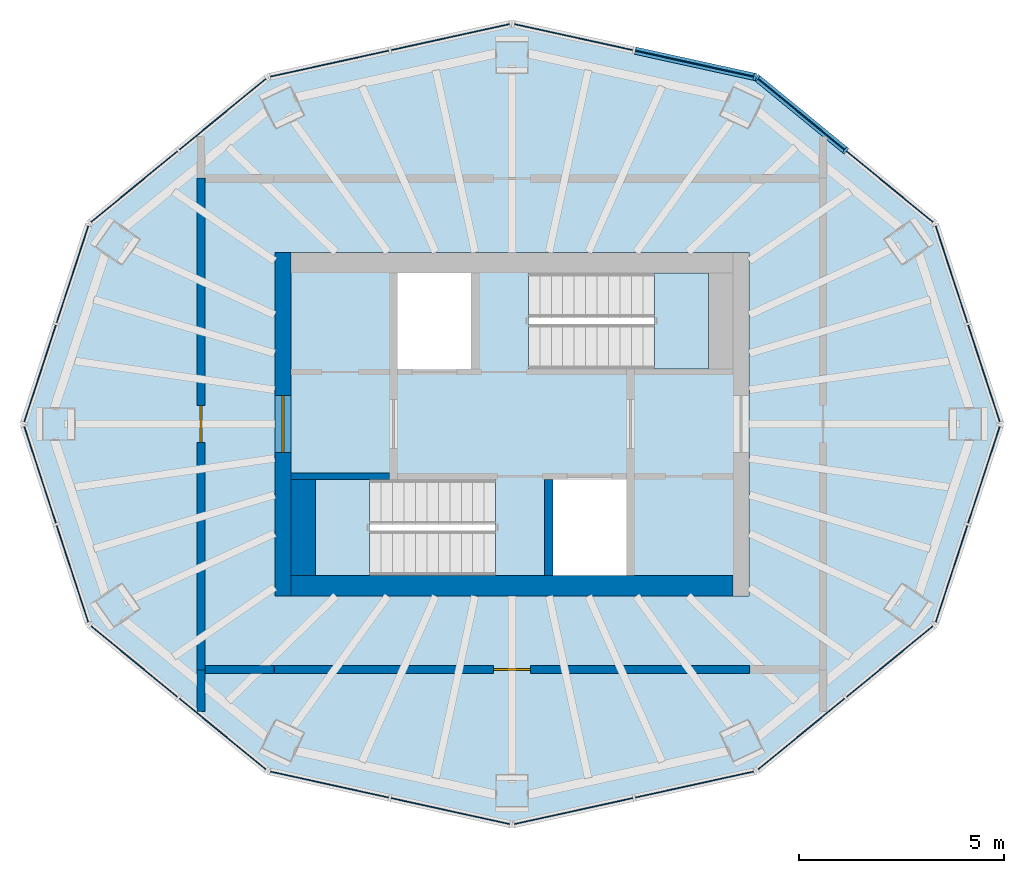
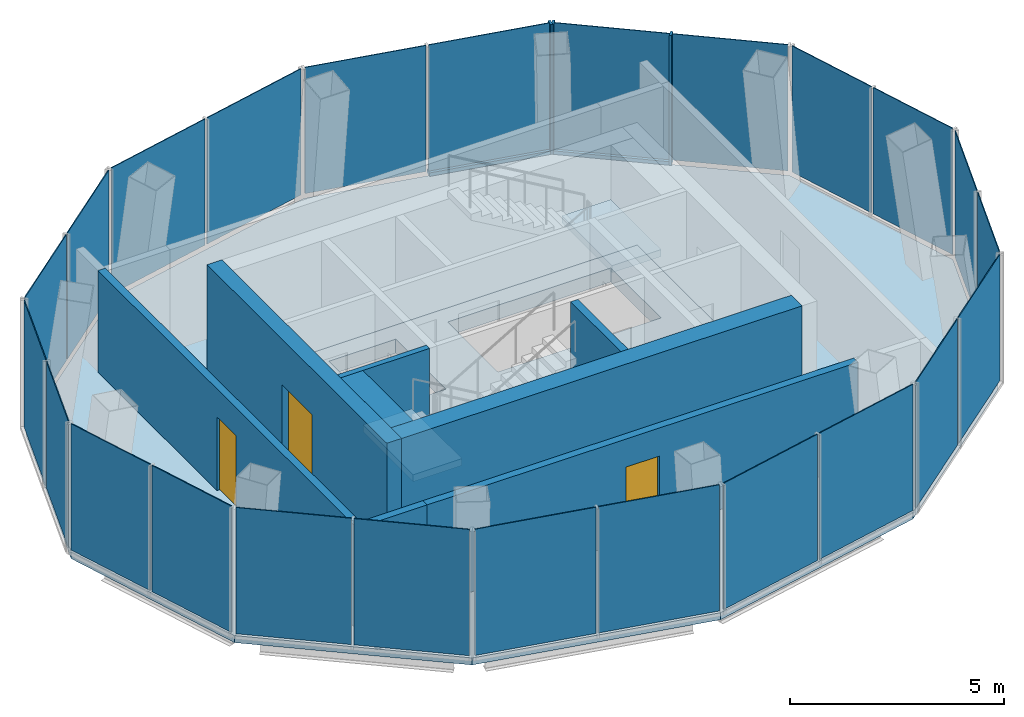
# One storey, part 3 of 5: 24 plates, 9 walls, 5 members, 4 slabs, 3 doors, 3 openings, 14 elements without a shape of their own.
"""IFC4 building model written with IfcOpenShell, lengths in metres."""

from ifc_helpers import new_model, si_unit, direction, frame, frame_2d, origin, origin_2d, place, context, subcontext, project, spatial, polyline, rectangle, outline, extrude, material, layer, layer_set, material_profile, profile_set, type_object, element, fill, aggregate, save


model = new_model("IFC4")

# Units and contexts
model_context = context("Model", 3, precision=1e-05, world=origin(), true_north=direction((0.0, 1.0)))
body_context = subcontext(model_context, "Body", "Model", "MODEL_VIEW")
ifc_project = project(units=[si_unit("LENGTHUNIT", "METRE"), si_unit("AREAUNIT", "SQUARE_METRE"), si_unit("VOLUMEUNIT", "CUBIC_METRE"), si_unit("PLANEANGLEUNIT", "RADIAN"), si_unit("MASSUNIT", "GRAM", prefix="KILO")], contexts=[model_context])

# Site, building, storey
site_placement = place(None, origin())
site = spatial("IfcSite", under=ifc_project, at=site_placement, CompositionType="ELEMENT")
building_placement = place(site_placement, origin())
building = spatial("IfcBuilding", under=site, at=building_placement, Name="Siaravel Broadcast Tower", CompositionType="ELEMENT")
storey_placement = place(building_placement, frame((0.0, 0.0, 280.39990234375)))
storey = spatial("IfcBuildingStorey", under=building, at=storey_placement, Name="L68", CompositionType="ELEMENT", Elevation=280.39990234375)

# Curtain wall, members
ifc_material_1 = material(Name="Aluminium 6063-T6", Category="aluminium")
ifc_layer_1 = layer(ifc_material_1, 0.179931640625)
ifc_layer_set_1 = layer_set([ifc_layer_1], Name="Aluminium 6063-T6")
curtain_wall_type = type_object("IfcCurtainWallType", Name="Crown glass facet wall", PredefinedType="NOTDEFINED", material=ifc_layer_set_1)
curtain_wall_1_placement = place(storey_placement, origin())
curtain_wall_1 = element("IfcCurtainWall", 1, at=curtain_wall_1_placement, inside=storey, type_object=curtain_wall_type, Name="L68 Crown glass facet wall 02", PredefinedType="NOTDEFINED")
ifc_material_profile_1 = material_profile(ifc_material_1, rectangle(XDim=0.179931640625, YDim=0.06005859375, at=origin_2d()))
ifc_profile_set_1 = profile_set([ifc_material_profile_1], Name="Aluminium 6063-T6")
member_type_1 = type_object("IfcMemberType", Name="CW-CR mullion", PredefinedType="MULLION", material=ifc_profile_set_1)
member_1_placement = place(storey_placement, frame((8.15380859375, 6.690185546875, 0.0), z_axis=(0.0, 0.0, 1.0), x_axis=(-0.633713047, -0.773568209, 0.0)))
member_1 = element("IfcMember", 2, at=member_1_placement, type_object=member_type_1, Name="CW-CR mullion 2", PredefinedType="MULLION", context=body_context, shape_type="SweptSolid", body=[
    extrude(rectangle(XDim=0.179931640625, YDim=0.06005859375, at=origin_2d()), origin(), (0.0, 0.0, 1.0), 3.7001953125),
])
member_2_placement = place(storey_placement, frame((5.99072265625, 8.462158203125, 0.0), z_axis=(0.0, 0.0, 1.0), x_axis=(-0.633713047, -0.773568209, 0.0)))
member_2 = element("IfcMember", 3, at=member_2_placement, type_object=member_type_1, Name="CW-CR mullion 3", PredefinedType="MULLION", context=body_context, shape_type="SweptSolid", body=[
    extrude(rectangle(XDim=0.179931640625, YDim=0.06005859375, at=origin_2d()), origin(), (0.0, 0.0, 1.0), 3.7001953125),
])

# Curtain wall, member
curtain_wall_2_placement = place(storey_placement, origin())
curtain_wall_2 = element("IfcCurtainWall", 4, at=curtain_wall_2_placement, inside=storey, type_object=curtain_wall_type, Name="L68 Crown glass facet wall 03", PredefinedType="NOTDEFINED")
member_3_placement = place(storey_placement, frame((5.938232421875, 8.48779296875, 0.0), z_axis=(0.0, 0.0, 1.0), x_axis=(-0.214394002, -0.976747261, 0.0)))
member_3 = element("IfcMember", 5, at=member_3_placement, type_object=member_type_1, Name="CW-CR mullion 1", PredefinedType="MULLION", context=body_context, shape_type="SweptSolid", body=[
    extrude(rectangle(XDim=0.179931640625, YDim=0.06005859375, at=origin_2d()), origin(), (0.0, 0.0, 1.0), 3.7001953125),
])

# Member
ifc_material_profile_2 = material_profile(ifc_material_1, rectangle(XDim=0.179931640625, YDim=0.10009765625, at=origin_2d()))
ifc_profile_set_2 = profile_set([ifc_material_profile_2], Name="Aluminium 6063-T6")
member_type_2 = type_object("IfcMemberType", Name="CW-CR transom", PredefinedType="USERDEFINED", material=ifc_profile_set_2)
member_4_placement = place(storey_placement, frame((8.130615234375, 6.709228515625, 0.050048828125), z_axis=(-0.773591431, 0.633684699, 0.0), x_axis=(-0.633684699, -0.773591431, 0.0)))
member_4 = element("IfcMember", 6, at=member_4_placement, type_object=member_type_2, Name="CW-CR transom 2", ObjectType="TRANSOM", PredefinedType="USERDEFINED", context=body_context, shape_type="SweptSolid", body=[
    extrude(rectangle(XDim=0.179931640625, YDim=0.10009765625, at=origin_2d()), origin(), (0.0, 0.0, 1.0), 2.736083984375),
])

member_5_placement = place(storey_placement, frame((5.908935546875, 8.494140625, 0.050048828125), z_axis=(-0.976755278, 0.214357473, 0.0), x_axis=(-0.214357473, -0.976755278, 0.0)))
member_5 = element("IfcMember", 7, at=member_5_placement, type_object=member_type_2, Name="CW-CR transom 1", ObjectType="TRANSOM", PredefinedType="USERDEFINED", context=body_context, shape_type="SweptSolid", body=[
    extrude(rectangle(XDim=0.179931640625, YDim=0.10009765625, at=origin_2d()), origin(), (0.0, 0.0, 1.0), 2.964599609375),
])

# Curtain wall, plates
curtain_wall_3_placement = place(storey_placement, origin())
curtain_wall_3 = element("IfcCurtainWall", 8, at=curtain_wall_3_placement, inside=storey, type_object=curtain_wall_type, Name="L68 Crown glass facet wall 01", PredefinedType="NOTDEFINED")
ifc_material_2 = material(Name="Low-iron laminated glass", Category="glass")
ifc_layer_2 = layer(ifc_material_2, 0.02392578125)
ifc_layer_set_2 = layer_set([ifc_layer_2], Name="Low-iron laminated glass")
plate_type = type_object("IfcPlateType", Name="CW-CR glass panel", PredefinedType="CURTAIN_PANEL", material=ifc_layer_set_2)
plate_1_placement = place(storey_placement, frame((11.537109375, 1.239013671875, 0.10009765625), z_axis=(0.0, 0.0, 1.0), x_axis=(-0.310858963, 0.950456051, 0.0)))
plate_1 = element("IfcPlate", 9, at=plate_1_placement, type_object=plate_type, Name="CW-CR glass panel", PredefinedType="CURTAIN_PANEL", context=body_context, shape_type="SweptSolid", body=[
    extrude(rectangle(XDim=2.4873046875, YDim=0.02392578125, at=origin_2d()), origin(), (0.0, 0.0, 1.0), 3.60009765625),
])
plate_2_placement = place(storey_placement, frame((10.7451171875, 3.660400390625, 0.10009765625), z_axis=(0.0, 0.0, 1.0), x_axis=(-0.310858963, 0.950456051, 0.0)))
plate_2 = element("IfcPlate", 10, at=plate_2_placement, type_object=plate_type, Name="CW-CR glass panel", PredefinedType="CURTAIN_PANEL", context=body_context, shape_type="SweptSolid", body=[
    extrude(rectangle(XDim=2.4873046875, YDim=0.02392578125, at=origin_2d()), origin(), (0.0, 0.0, 1.0), 3.60009765625),
])
aggregate(curtain_wall_3, [plate_1, plate_2])

# Plate
plate_3_placement = place(storey_placement, frame((9.235107421875, 5.80419921875, 0.10009765625), z_axis=(0.0, 0.0, 1.0), x_axis=(-0.773568209, 0.633713047, 0.0)))
plate_3 = element("IfcPlate", 11, at=plate_3_placement, type_object=plate_type, Name="CW-CR glass panel", PredefinedType="CURTAIN_PANEL", context=body_context, shape_type="SweptSolid", body=[
    extrude(rectangle(XDim=2.736083984375, YDim=0.02392578125, at=origin_2d()), origin(), (0.0, 0.0, 1.0), 3.60009765625),
])

plate_4_placement = place(storey_placement, frame((7.072265625, 7.576416015625, 0.10009765625), z_axis=(0.0, 0.0, 1.0), x_axis=(-0.773568209, 0.633713047, 0.0)))
plate_4 = element("IfcPlate", 12, at=plate_4_placement, type_object=plate_type, Name="CW-CR glass panel", PredefinedType="CURTAIN_PANEL", context=body_context, shape_type="SweptSolid", body=[
    extrude(rectangle(XDim=2.736083984375, YDim=0.02392578125, at=origin_2d()), origin(), (0.0, 0.0, 1.0), 3.60009765625),
])

aggregate(curtain_wall_1, [member_1, member_2, plate_3, member_4, plate_4])

plate_5_placement = place(storey_placement, frame((4.4609375, 8.81201171875, 0.10009765625), z_axis=(0.0, 0.0, 1.0), x_axis=(-0.976747261, 0.214394002, 0.0)))
plate_5 = element("IfcPlate", 13, at=plate_5_placement, type_object=plate_type, Name="CW-CR glass panel", PredefinedType="CURTAIN_PANEL", context=body_context, shape_type="SweptSolid", body=[
    extrude(rectangle(XDim=2.96484375, YDim=0.02392578125, at=origin_2d()), origin(), (0.0, 0.0, 1.0), 3.60009765625),
])

plate_6_placement = place(storey_placement, frame((1.506591796875, 9.46044921875, 0.10009765625), z_axis=(0.0, 0.0, 1.0), x_axis=(-0.976747261, 0.214394002, 0.0)))
plate_6 = element("IfcPlate", 14, at=plate_6_placement, type_object=plate_type, Name="CW-CR glass panel", PredefinedType="CURTAIN_PANEL", context=body_context, shape_type="SweptSolid", body=[
    extrude(rectangle(XDim=2.96484375, YDim=0.02392578125, at=origin_2d()), origin(), (0.0, 0.0, 1.0), 3.60009765625),
])

aggregate(curtain_wall_2, [member_3, member_5, plate_5, plate_6])

# Curtain wall, plates
curtain_wall_4_placement = place(storey_placement, origin())
curtain_wall_4 = element("IfcCurtainWall", 15, at=curtain_wall_4_placement, inside=storey, type_object=curtain_wall_type, Name="L68 Crown glass facet wall 04", PredefinedType="NOTDEFINED")
plate_7_placement = place(storey_placement, frame((-1.506591796875, 9.46044921875, 0.10009765625), z_axis=(0.0, 0.0, 1.0), x_axis=(-0.976747261, -0.214394002, 0.0)))
plate_7 = element("IfcPlate", 16, at=plate_7_placement, type_object=plate_type, Name="CW-CR glass panel", PredefinedType="CURTAIN_PANEL", context=body_context, shape_type="SweptSolid", body=[
    extrude(rectangle(XDim=2.96484375, YDim=0.02392578125, at=origin_2d()), origin(), (0.0, 0.0, 1.0), 3.60009765625),
])
plate_8_placement = place(storey_placement, frame((-4.4609375, 8.81201171875, 0.10009765625), z_axis=(0.0, 0.0, 1.0), x_axis=(-0.976747261, -0.214394002, 0.0)))
plate_8 = element("IfcPlate", 17, at=plate_8_placement, type_object=plate_type, Name="CW-CR glass panel", PredefinedType="CURTAIN_PANEL", context=body_context, shape_type="SweptSolid", body=[
    extrude(rectangle(XDim=2.96484375, YDim=0.02392578125, at=origin_2d()), origin(), (0.0, 0.0, 1.0), 3.60009765625),
])
aggregate(curtain_wall_4, [plate_7, plate_8])

curtain_wall_5_placement = place(storey_placement, origin())
curtain_wall_5 = element("IfcCurtainWall", 18, at=curtain_wall_5_placement, inside=storey, type_object=curtain_wall_type, Name="L68 Crown glass facet wall 05", PredefinedType="NOTDEFINED")
plate_9_placement = place(storey_placement, frame((-7.072265625, 7.576416015625, 0.10009765625), z_axis=(0.0, 0.0, 1.0), x_axis=(-0.773568209, -0.633713047, 0.0)))
plate_9 = element("IfcPlate", 19, at=plate_9_placement, type_object=plate_type, Name="CW-CR glass panel", PredefinedType="CURTAIN_PANEL", context=body_context, shape_type="SweptSolid", body=[
    extrude(rectangle(XDim=2.736083984375, YDim=0.02392578125, at=origin_2d()), origin(), (0.0, 0.0, 1.0), 3.60009765625),
])
plate_10_placement = place(storey_placement, frame((-9.235107421875, 5.80419921875, 0.10009765625), z_axis=(0.0, 0.0, 1.0), x_axis=(-0.773568209, -0.633713047, 0.0)))
plate_10 = element("IfcPlate", 20, at=plate_10_placement, type_object=plate_type, Name="CW-CR glass panel", PredefinedType="CURTAIN_PANEL", context=body_context, shape_type="SweptSolid", body=[
    extrude(rectangle(XDim=2.736083984375, YDim=0.02392578125, at=origin_2d()), origin(), (0.0, 0.0, 1.0), 3.60009765625),
])
aggregate(curtain_wall_5, [plate_9, plate_10])

curtain_wall_6_placement = place(storey_placement, origin())
curtain_wall_6 = element("IfcCurtainWall", 21, at=curtain_wall_6_placement, inside=storey, type_object=curtain_wall_type, Name="L68 Crown glass facet wall 06", PredefinedType="NOTDEFINED")
plate_11_placement = place(storey_placement, frame((-10.7451171875, 3.660400390625, 0.10009765625), z_axis=(0.0, 0.0, 1.0), x_axis=(-0.310858963, -0.950456051, 0.0)))
plate_11 = element("IfcPlate", 22, at=plate_11_placement, type_object=plate_type, Name="CW-CR glass panel", PredefinedType="CURTAIN_PANEL", context=body_context, shape_type="SweptSolid", body=[
    extrude(rectangle(XDim=2.4873046875, YDim=0.02392578125, at=origin_2d()), origin(), (0.0, 0.0, 1.0), 3.60009765625),
])
plate_12_placement = place(storey_placement, frame((-11.537109375, 1.239013671875, 0.10009765625), z_axis=(0.0, 0.0, 1.0), x_axis=(-0.310858963, -0.950456051, 0.0)))
plate_12 = element("IfcPlate", 23, at=plate_12_placement, type_object=plate_type, Name="CW-CR glass panel", PredefinedType="CURTAIN_PANEL", context=body_context, shape_type="SweptSolid", body=[
    extrude(rectangle(XDim=2.4873046875, YDim=0.02392578125, at=origin_2d()), origin(), (0.0, 0.0, 1.0), 3.60009765625),
])
aggregate(curtain_wall_6, [plate_11, plate_12])

curtain_wall_7_placement = place(storey_placement, origin())
curtain_wall_7 = element("IfcCurtainWall", 24, at=curtain_wall_7_placement, inside=storey, type_object=curtain_wall_type, Name="L68 Crown glass facet wall 07", PredefinedType="NOTDEFINED")
plate_13_placement = place(storey_placement, frame((-11.537109375, -1.239013671875, 0.10009765625), z_axis=(0.0, 0.0, 1.0), x_axis=(0.310858963, -0.950456051, 0.0)))
plate_13 = element("IfcPlate", 25, at=plate_13_placement, type_object=plate_type, Name="CW-CR glass panel", PredefinedType="CURTAIN_PANEL", context=body_context, shape_type="SweptSolid", body=[
    extrude(rectangle(XDim=2.4873046875, YDim=0.02392578125, at=origin_2d()), origin(), (0.0, 0.0, 1.0), 3.60009765625),
])
plate_14_placement = place(storey_placement, frame((-10.7451171875, -3.660400390625, 0.10009765625), z_axis=(0.0, 0.0, 1.0), x_axis=(0.310858963, -0.950456051, 0.0)))
plate_14 = element("IfcPlate", 26, at=plate_14_placement, type_object=plate_type, Name="CW-CR glass panel", PredefinedType="CURTAIN_PANEL", context=body_context, shape_type="SweptSolid", body=[
    extrude(rectangle(XDim=2.4873046875, YDim=0.02392578125, at=origin_2d()), origin(), (0.0, 0.0, 1.0), 3.60009765625),
])
aggregate(curtain_wall_7, [plate_13, plate_14])

curtain_wall_8_placement = place(storey_placement, origin())
curtain_wall_8 = element("IfcCurtainWall", 27, at=curtain_wall_8_placement, inside=storey, type_object=curtain_wall_type, Name="L68 Crown glass facet wall 08", PredefinedType="NOTDEFINED")
plate_15_placement = place(storey_placement, frame((-9.235107421875, -5.80419921875, 0.10009765625), z_axis=(0.0, 0.0, 1.0), x_axis=(0.773568209, -0.633713047, 0.0)))
plate_15 = element("IfcPlate", 28, at=plate_15_placement, type_object=plate_type, Name="CW-CR glass panel", PredefinedType="CURTAIN_PANEL", context=body_context, shape_type="SweptSolid", body=[
    extrude(rectangle(XDim=2.736083984375, YDim=0.02392578125, at=origin_2d()), origin(), (0.0, 0.0, 1.0), 3.60009765625),
])
plate_16_placement = place(storey_placement, frame((-7.072265625, -7.576416015625, 0.10009765625), z_axis=(0.0, 0.0, 1.0), x_axis=(0.773568209, -0.633713047, 0.0)))
plate_16 = element("IfcPlate", 29, at=plate_16_placement, type_object=plate_type, Name="CW-CR glass panel", PredefinedType="CURTAIN_PANEL", context=body_context, shape_type="SweptSolid", body=[
    extrude(rectangle(XDim=2.736083984375, YDim=0.02392578125, at=origin_2d()), origin(), (0.0, 0.0, 1.0), 3.60009765625),
])
aggregate(curtain_wall_8, [plate_15, plate_16])

curtain_wall_9_placement = place(storey_placement, origin())
curtain_wall_9 = element("IfcCurtainWall", 30, at=curtain_wall_9_placement, inside=storey, type_object=curtain_wall_type, Name="L68 Crown glass facet wall 09", PredefinedType="NOTDEFINED")
plate_17_placement = place(storey_placement, frame((-4.4609375, -8.81201171875, 0.10009765625), z_axis=(0.0, 0.0, 1.0), x_axis=(0.976747261, -0.214394002, 0.0)))
plate_17 = element("IfcPlate", 31, at=plate_17_placement, type_object=plate_type, Name="CW-CR glass panel", PredefinedType="CURTAIN_PANEL", context=body_context, shape_type="SweptSolid", body=[
    extrude(rectangle(XDim=2.96484375, YDim=0.02392578125, at=origin_2d()), origin(), (0.0, 0.0, 1.0), 3.60009765625),
])
plate_18_placement = place(storey_placement, frame((-1.506591796875, -9.46044921875, 0.10009765625), z_axis=(0.0, 0.0, 1.0), x_axis=(0.976747261, -0.214394002, 0.0)))
plate_18 = element("IfcPlate", 32, at=plate_18_placement, type_object=plate_type, Name="CW-CR glass panel", PredefinedType="CURTAIN_PANEL", context=body_context, shape_type="SweptSolid", body=[
    extrude(rectangle(XDim=2.96484375, YDim=0.02392578125, at=origin_2d()), origin(), (0.0, 0.0, 1.0), 3.60009765625),
])
aggregate(curtain_wall_9, [plate_17, plate_18])

curtain_wall_10_placement = place(storey_placement, origin())
curtain_wall_10 = element("IfcCurtainWall", 33, at=curtain_wall_10_placement, inside=storey, type_object=curtain_wall_type, Name="L68 Crown glass facet wall 10", PredefinedType="NOTDEFINED")
plate_19_placement = place(storey_placement, frame((1.506591796875, -9.46044921875, 0.10009765625), z_axis=(0.0, 0.0, 1.0), x_axis=(0.976747261, 0.214394002, 0.0)))
plate_19 = element("IfcPlate", 34, at=plate_19_placement, type_object=plate_type, Name="CW-CR glass panel", PredefinedType="CURTAIN_PANEL", context=body_context, shape_type="SweptSolid", body=[
    extrude(rectangle(XDim=2.96484375, YDim=0.02392578125, at=origin_2d()), origin(), (0.0, 0.0, 1.0), 3.60009765625),
])
plate_20_placement = place(storey_placement, frame((4.4609375, -8.81201171875, 0.10009765625), z_axis=(0.0, 0.0, 1.0), x_axis=(0.976747261, 0.214394002, 0.0)))
plate_20 = element("IfcPlate", 35, at=plate_20_placement, type_object=plate_type, Name="CW-CR glass panel", PredefinedType="CURTAIN_PANEL", context=body_context, shape_type="SweptSolid", body=[
    extrude(rectangle(XDim=2.96484375, YDim=0.02392578125, at=origin_2d()), origin(), (0.0, 0.0, 1.0), 3.60009765625),
])
aggregate(curtain_wall_10, [plate_19, plate_20])

curtain_wall_11_placement = place(storey_placement, origin())
curtain_wall_11 = element("IfcCurtainWall", 36, at=curtain_wall_11_placement, inside=storey, type_object=curtain_wall_type, Name="L68 Crown glass facet wall 11", PredefinedType="NOTDEFINED")
plate_21_placement = place(storey_placement, frame((7.072265625, -7.576416015625, 0.10009765625), z_axis=(0.0, 0.0, 1.0), x_axis=(0.773568209, 0.633713047, 0.0)))
plate_21 = element("IfcPlate", 37, at=plate_21_placement, type_object=plate_type, Name="CW-CR glass panel", PredefinedType="CURTAIN_PANEL", context=body_context, shape_type="SweptSolid", body=[
    extrude(rectangle(XDim=2.736083984375, YDim=0.02392578125, at=origin_2d()), origin(), (0.0, 0.0, 1.0), 3.60009765625),
])
plate_22_placement = place(storey_placement, frame((9.235107421875, -5.80419921875, 0.10009765625), z_axis=(0.0, 0.0, 1.0), x_axis=(0.773568209, 0.633713047, 0.0)))
plate_22 = element("IfcPlate", 38, at=plate_22_placement, type_object=plate_type, Name="CW-CR glass panel", PredefinedType="CURTAIN_PANEL", context=body_context, shape_type="SweptSolid", body=[
    extrude(rectangle(XDim=2.736083984375, YDim=0.02392578125, at=origin_2d()), origin(), (0.0, 0.0, 1.0), 3.60009765625),
])
aggregate(curtain_wall_11, [plate_21, plate_22])

curtain_wall_12_placement = place(storey_placement, origin())
curtain_wall_12 = element("IfcCurtainWall", 39, at=curtain_wall_12_placement, inside=storey, type_object=curtain_wall_type, Name="L68 Crown glass facet wall 12", PredefinedType="NOTDEFINED")
plate_23_placement = place(storey_placement, frame((10.7451171875, -3.660400390625, 0.10009765625), z_axis=(0.0, 0.0, 1.0), x_axis=(0.310858963, 0.950456051, 0.0)))
plate_23 = element("IfcPlate", 40, at=plate_23_placement, type_object=plate_type, Name="CW-CR glass panel", PredefinedType="CURTAIN_PANEL", context=body_context, shape_type="SweptSolid", body=[
    extrude(rectangle(XDim=2.4873046875, YDim=0.02392578125, at=origin_2d()), origin(), (0.0, 0.0, 1.0), 3.60009765625),
])
plate_24_placement = place(storey_placement, frame((11.537109375, -1.239013671875, 0.10009765625), z_axis=(0.0, 0.0, 1.0), x_axis=(0.310858963, 0.950456051, 0.0)))
plate_24 = element("IfcPlate", 41, at=plate_24_placement, type_object=plate_type, Name="CW-CR glass panel", PredefinedType="CURTAIN_PANEL", context=body_context, shape_type="SweptSolid", body=[
    extrude(rectangle(XDim=2.4873046875, YDim=0.02392578125, at=origin_2d()), origin(), (0.0, 0.0, 1.0), 3.60009765625),
])
aggregate(curtain_wall_12, [plate_23, plate_24])

# Slabs
ifc_material_3 = material(Name="Concrete C40/50", Category="concrete")
ifc_layer_3 = layer(ifc_material_3, 0.39990234375)
ifc_layer_set_3 = layer_set([ifc_layer_3], Name="Concrete C40/50")
slab_type_1 = type_object("IfcSlabType", Name="Core floor slab 400", PredefinedType="FLOOR", material=ifc_layer_set_3)
slab_1_placement = place(storey_placement, frame((0.0, 0.0, -0.39990234375)))
element("IfcSlab", 42, at=slab_1_placement, inside=storey, type_object=slab_type_1, Name="L68 core floor", PredefinedType="FLOOR", context=body_context, shape_type="SweptSolid", body=[
    extrude(outline(polyline([(-5.800048828125, -4.199951171875), (-5.800048828125, 4.199951171875), (5.800048828125, 4.199951171875), (5.800048828125, -4.199951171875), (-5.800048828125, -4.199951171875)]), holes=[polyline([(0.400390625, 3.699462890625), (0.400390625, 1.3505859375), (4.799560546875, 1.3505859375), (4.799560546875, 3.699462890625), (0.400390625, 3.699462890625)]), polyline([(1.0, -3.699951171875), (2.800048828125, -3.699951171875), (2.800048828125, -1.35009765625), (1.0, -1.35009765625), (1.0, -3.699951171875)]), polyline([(-0.400390625, -3.699462890625), (-0.400390625, -1.3505859375), (-4.799560546875, -1.3505859375), (-4.799560546875, -3.699462890625), (-0.400390625, -3.699462890625)]), polyline([(-2.800048828125, 1.35009765625), (-1.0, 1.35009765625), (-1.0, 3.699951171875), (-2.800048828125, 3.699951171875), (-2.800048828125, 1.35009765625)])]), origin(), (0.0, 0.0, 1.0), 0.39990234375),
])
ifc_layer_4 = layer(ifc_material_3, 0.199951171875)
ifc_layer_set_4 = layer_set([ifc_layer_4], Name="Concrete C40/50")
slab_type_2 = type_object("IfcSlabType", Name="SLB-FLOOR-200", PredefinedType="FLOOR", material=ifc_layer_set_4)
slab_2_placement = place(storey_placement, frame((0.0, 0.0, -0.199951171875)))
element("IfcSlab", 43, at=slab_2_placement, inside=storey, type_object=slab_type_2, Name="Floor slab", PredefinedType="FLOOR", context=body_context, shape_type="SweptSolid", body=[
    extrude(outline(polyline([(11.892333984375, 0.0), (10.299072265625, 4.87060546875), (5.9462890625, 8.43603515625), (0.0, 9.7412109375), (-5.946044921875, 8.43603515625), (-10.299072265625, 4.87060546875), (-11.892333984375, 0.0), (-10.299072265625, -4.87060546875), (-5.9462890625, -8.43603515625), (0.0, -9.7412109375), (5.9462890625, -8.43603515625), (10.299072265625, -4.87060546875), (11.892333984375, 0.0)]), holes=[polyline([(-5.800048828125, 4.199951171875), (5.800048828125, 4.199951171875), (5.800048828125, -4.199951171875), (-5.800048828125, -4.199951171875), (-5.800048828125, 4.199951171875)])]), origin(), (0.0, 0.0, 1.0), 0.199951171875),
])

# Stair, slab
stair_type = type_object("IfcStairType", Name="Core exit stair", PredefinedType="HALF_TURN_STAIR", material=ifc_material_3)
stair_1_placement = place(storey_placement, origin())
stair_1 = element("IfcStair", 44, at=stair_1_placement, inside=storey, type_object=stair_type, Name="L68 Exit stair ST-C1", PredefinedType="HALF_TURN_STAIR")
ifc_layer_5 = layer(ifc_material_3, 0.199951171875)
ifc_layer_set_5 = layer_set([ifc_layer_5], Name="Concrete C40/50")
slab_type_3 = type_object("IfcSlabType", Name="Stair landing", PredefinedType="LANDING", material=ifc_layer_set_5)
slab_3_placement = place(storey_placement, frame((0.0, 0.0, 1.75)))
slab_3 = element("IfcSlab", 45, at=slab_3_placement, type_object=slab_type_3, Name="ST-C1 landing 1", PredefinedType="LANDING", context=body_context, shape_type="SweptSolid", body=[
    extrude(outline(polyline([(3.47998046875, 1.35009765625), (4.800048828125, 1.35009765625), (4.800048828125, 3.699951171875), (3.47998046875, 3.699951171875), (3.47998046875, 1.35009765625)])), origin(), (0.0, 0.0, 1.0), 0.2001953125),
])
aggregate(stair_1, [slab_3])

stair_2_placement = place(storey_placement, origin())
stair_2 = element("IfcStair", 46, at=stair_2_placement, inside=storey, type_object=stair_type, Name="L68 Exit stair ST-C2", PredefinedType="HALF_TURN_STAIR")
slab_4_placement = place(storey_placement, frame((0.0, 0.0, 1.75)))
slab_4 = element("IfcSlab", 47, at=slab_4_placement, type_object=slab_type_3, Name="ST-C2 landing 1", PredefinedType="LANDING", context=body_context, shape_type="SweptSolid", body=[
    extrude(outline(polyline([(-3.47998046875, -1.35009765625), (-4.800048828125, -1.35009765625), (-4.800048828125, -3.699951171875), (-3.47998046875, -3.699951171875), (-3.47998046875, -1.35009765625)])), origin(), (0.0, 0.0, 1.0), 0.2001953125),
])
aggregate(stair_2, [slab_4])

# Wall, opening, door
ifc_material_4 = material(Name="Concrete C60/75", Category="concrete")
ifc_layer_6 = layer(ifc_material_4, 0.39990234375)
ifc_layer_set_6 = layer_set([ifc_layer_6], Name="Concrete C60/75")
wall_type_1 = type_object("IfcWallType", Name="Core wall 400", PredefinedType="SHEAR", material=ifc_layer_set_6)
wall_1_placement = place(storey_placement, frame((-5.60009765625, -4.199951171875, 0.0), z_axis=(0.0, 0.0, 1.0), x_axis=(0.0, 1.0, 0.0)))
wall_1 = element("IfcWall", 48, at=wall_1_placement, inside=storey, type_object=wall_type_1, Name="L68 core wall OW", PredefinedType="SHEAR", context=body_context, shape_type="SweptSolid", body=[
    extrude(rectangle(XDim=8.39990234375, YDim=0.39990234375, at=frame_2d((4.199951171875, 0.0))), origin(), (0.0, 0.0, 1.0), 3.5),
])
opening_1_placement = place(wall_1_placement, frame((3.5, 0.0, 0.0)))
opening_1 = element("IfcOpeningElement", 49, at=opening_1_placement, cuts=wall_1, Name="Opening L68-DX-W", PredefinedType="OPENING", context=body_context, shape_type="SweptSolid", body=[
    extrude(rectangle(XDim=1.39990234375, YDim=2.199951171875, at=frame_2d((0.699951171875, 1.10009765625))), frame((0.0, 0.2099609375, 0.0), z_axis=(0.0, -1.0, 0.0), x_axis=(1.0, 0.0, 0.0)), (0.0, 0.0, 1.0), 0.419921875),
])
ifc_material_5 = material(Name="Steel", Category="steel")
door_type_1 = type_object("IfcDoorType", Name="Core exit door 1400", OperationType="DOUBLE_DOOR_SINGLE_SWING", PredefinedType="DOOR", material=ifc_material_5)
door_1_placement = place(opening_1_placement, origin())
door_1 = element("IfcDoor", 50, at=door_1_placement, inside=storey, type_object=door_type_1, Name="L68 door DX-W", OperationType="DOUBLE_DOOR_SINGLE_SWING", OverallHeight=2.199951171875, OverallWidth=1.39990234375, PredefinedType="DOOR", context=body_context, shape_type="SweptSolid", body=[
    extrude(rectangle(XDim=1.39990234375, YDim=2.199951171875, at=frame_2d((0.699951171875, 1.10009765625))), frame((0.0, 0.02490234375, 0.0), z_axis=(0.0, -1.0, 0.0), x_axis=(1.0, 0.0, 0.0)), (0.0, 0.0, 1.0), 0.050048828125),
])
fill(opening_1, door_1)

# Wall
ifc_layer_7 = layer(ifc_material_4, 0.5)
ifc_layer_set_7 = layer_set([ifc_layer_7], Name="Concrete C60/75")
wall_type_2 = type_object("IfcWallType", Name="Core wall 500", PredefinedType="SHEAR", material=ifc_layer_set_7)
wall_2_placement = place(storey_placement, frame((-5.39990234375, -3.949951171875, 0.0), z_axis=(0.0, 0.0, 1.0), x_axis=(1.0, 0.0, 0.0)))
element("IfcWall", 51, at=wall_2_placement, inside=storey, type_object=wall_type_2, Name="L68 core wall OS", PredefinedType="SHEAR", context=body_context, shape_type="SweptSolid", body=[
    extrude(rectangle(XDim=10.7998046875, YDim=0.5, at=frame_2d((5.39990234375, 0.0))), origin(), (0.0, 0.0, 1.0), 3.5),
])

# Wall, opening, door
ifc_material_6 = material(Name="Concrete blockwork", Category="masonry")
ifc_layer_8 = layer(ifc_material_6, 0.199951171875)
ifc_layer_set_8 = layer_set([ifc_layer_8], Name="Concrete blockwork")
wall_type_3 = type_object("IfcWallType", Name="Plant room wall 200", PredefinedType="PARTITIONING", material=ifc_layer_set_8)
wall_3_placement = place(storey_placement, frame((-7.60009765625, 6.011962890625, 0.0), z_axis=(0.0, 0.0, 1.0), x_axis=(0.0, -1.0, 0.0)))
wall_3 = element("IfcWall", 52, at=wall_3_placement, inside=storey, type_object=wall_type_3, Name="L68 partition 1", PredefinedType="PARTITIONING", context=body_context, shape_type="SweptSolid", body=[
    extrude(rectangle(XDim=12.02392578125, YDim=0.199951171875, at=frame_2d((6.011962890625, 0.0))), origin(), (0.0, 0.0, 1.0), 2.900146484375),
])
opening_2_placement = place(wall_3_placement, frame((5.56201171875, 0.0, 0.0)))
opening_2 = element("IfcOpeningElement", 53, at=opening_2_placement, cuts=wall_3, Name="Opening L68-001", PredefinedType="OPENING", context=body_context, shape_type="SweptSolid", body=[
    extrude(rectangle(XDim=0.89990234375, YDim=2.10009765625, at=frame_2d((0.449951171875, 1.050048828125))), frame((0.0, 0.10986328125, 0.0), z_axis=(0.0, -1.0, 0.0), x_axis=(1.0, 0.0, 0.0)), (0.0, 0.0, 1.0), 0.219970703125),
])
door_type_2 = type_object("IfcDoorType", Name="Plant room door 900", OperationType="SINGLE_SWING_LEFT", PredefinedType="DOOR", material=ifc_material_5)
door_2_placement = place(opening_2_placement, origin())
door_2 = element("IfcDoor", 54, at=door_2_placement, inside=storey, type_object=door_type_2, Name="L68 door to Mechanical plant room", OperationType="SINGLE_SWING_LEFT", OverallHeight=2.10009765625, OverallWidth=0.89990234375, PredefinedType="DOOR", context=body_context, shape_type="SweptSolid", body=[
    extrude(rectangle(XDim=0.89990234375, YDim=2.10009765625, at=frame_2d((0.449951171875, 1.050048828125))), frame((0.0, 0.02490234375, 0.0), z_axis=(0.0, -1.0, 0.0), x_axis=(1.0, 0.0, 0.0)), (0.0, 0.0, 1.0), 0.050048828125),
])
fill(opening_2, door_2)

wall_4_placement = place(storey_placement, frame((-5.81201171875, -6.0, 0.0), z_axis=(0.0, 0.0, 1.0), x_axis=(1.0, 0.0, 0.0)))
wall_4 = element("IfcWall", 55, at=wall_4_placement, inside=storey, type_object=wall_type_3, Name="L68 partition 3", PredefinedType="PARTITIONING", context=body_context, shape_type="SweptSolid", body=[
    extrude(rectangle(XDim=11.6240234375, YDim=0.199951171875, at=frame_2d((5.81201171875, 0.0))), origin(), (0.0, 0.0, 1.0), 2.900146484375),
])
opening_3_placement = place(wall_4_placement, frame((5.362060546875, 0.0, 0.0)))
opening_3 = element("IfcOpeningElement", 56, at=opening_3_placement, cuts=wall_4, Name="Opening L68-004", PredefinedType="OPENING", context=body_context, shape_type="SweptSolid", body=[
    extrude(rectangle(XDim=0.89990234375, YDim=2.10009765625, at=frame_2d((0.449951171875, 1.050048828125))), frame((0.0, 0.10986328125, 0.0), z_axis=(0.0, -1.0, 0.0), x_axis=(1.0, 0.0, 0.0)), (0.0, 0.0, 1.0), 0.219970703125),
])
door_3_placement = place(opening_3_placement, origin())
door_3 = element("IfcDoor", 57, at=door_3_placement, inside=storey, type_object=door_type_2, Name="L68 door to Battery room", OperationType="SINGLE_SWING_RIGHT", OverallHeight=2.10009765625, OverallWidth=0.89990234375, PredefinedType="DOOR", context=body_context, shape_type="SweptSolid", body=[
    extrude(rectangle(XDim=0.89990234375, YDim=2.10009765625, at=frame_2d((0.449951171875, 1.050048828125))), frame((0.0, 0.02490234375, 0.0), z_axis=(0.0, -1.0, 0.0), x_axis=(1.0, 0.0, 0.0)), (0.0, 0.0, 1.0), 0.050048828125),
])
fill(opening_3, door_3)

# Walls
wall_5_placement = place(storey_placement, frame((-7.498046875, -6.0, 0.0), z_axis=(0.0, 0.0, 1.0), x_axis=(1.0, 0.0, 0.0)))
element("IfcWall", 58, at=wall_5_placement, inside=storey, type_object=wall_type_3, Name="L68 partition 5", PredefinedType="PARTITIONING", context=body_context, shape_type="SweptSolid", body=[
    extrude(rectangle(XDim=1.68505859375, YDim=0.199951171875, at=frame_2d((0.842529296875, 0.0))), origin(), (0.0, 0.0, 1.0), 2.900146484375),
])
wall_6_placement = place(storey_placement, frame((-7.60009765625, -7.031494140625, 0.0), z_axis=(0.0, 0.0, 1.0), x_axis=(0.0, 1.0, 0.0)))
element("IfcWall", 59, at=wall_6_placement, inside=storey, type_object=wall_type_3, Name="L68 partition 9", PredefinedType="PARTITIONING", context=body_context, shape_type="SweptSolid", body=[
    extrude(rectangle(XDim=1.0185546875, YDim=0.199951171875, at=frame_2d((0.50927734375, 0.0))), origin(), (0.0, 0.0, 1.0), 2.900146484375),
])
ifc_layer_9 = layer(ifc_material_4, 0.14990234375)
ifc_layer_set_9 = layer_set([ifc_layer_9], Name="Concrete C60/75")
wall_type_4 = type_object("IfcWallType", Name="Shaft wall 150", PredefinedType="SHEAR", material=ifc_layer_set_9)
wall_7_placement = place(storey_placement, frame((-5.39990234375, -1.27490234375, 0.0), z_axis=(0.0, 0.0, 1.0), x_axis=(1.0, 0.0, 0.0)))
element("IfcWall", 60, at=wall_7_placement, inside=storey, type_object=wall_type_4, Name="L68 core wall CSW", PredefinedType="SHEAR", context=body_context, shape_type="SweptSolid", body=[
    extrude(rectangle(XDim=2.39990234375, YDim=0.14990234375, at=frame_2d((1.199951171875, 0.0))), origin(), (0.0, 0.0, 1.0), 3.5),
])
ifc_layer_10 = layer(ifc_material_4, 0.199951171875)
ifc_layer_set_10 = layer_set([ifc_layer_10], Name="Concrete C60/75")
wall_type_5 = type_object("IfcWallType", Name="Shaft wall 200", PredefinedType="SHEAR", material=ifc_layer_set_10)
wall_8_placement = place(storey_placement, frame((0.89990234375, -3.699951171875, 0.0), z_axis=(0.0, 0.0, 1.0), x_axis=(0.0, 1.0, 0.0)))
element("IfcWall", 61, at=wall_8_placement, inside=storey, type_object=wall_type_5, Name="L68 core wall FF2W", PredefinedType="SHEAR", context=body_context, shape_type="SweptSolid", body=[
    extrude(rectangle(XDim=2.349853515625, YDim=0.199951171875, at=frame_2d((1.1748046875, 0.0))), origin(), (0.0, 0.0, 1.0), 3.5),
])
ifc_layer_11 = layer(ifc_material_4, 0.60009765625)
ifc_layer_set_11 = layer_set([ifc_layer_11], Name="Concrete C60/75")
wall_type_6 = type_object("IfcWallType", Name="Shaft wall 600", PredefinedType="SHEAR", material=ifc_layer_set_11)
wall_9_placement = place(storey_placement, frame((-5.10009765625, -3.699951171875, 0.0), z_axis=(0.0, 0.0, 1.0), x_axis=(0.0, 1.0, 0.0)))
element("IfcWall", 62, at=wall_9_placement, inside=storey, type_object=wall_type_6, Name="L68 core wall STCW", PredefinedType="SHEAR", context=body_context, shape_type="SweptSolid", body=[
    extrude(rectangle(XDim=2.349853515625, YDim=0.60009765625, at=frame_2d((1.1748046875, 0.0))), origin(), (0.0, 0.0, 1.0), 3.5),
])

save(model, "model.ifc")
